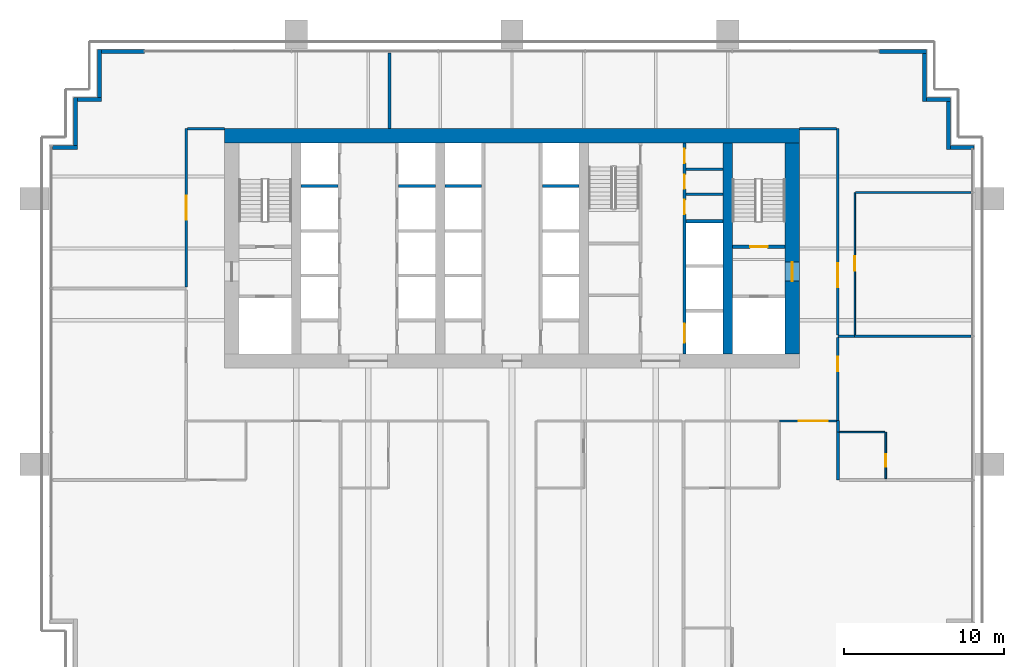
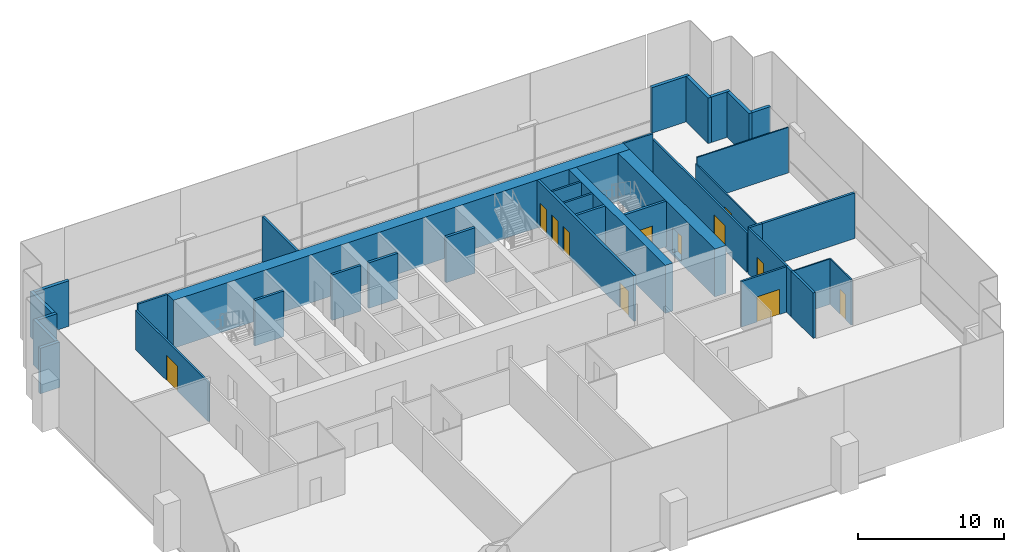
# One storey, part 12 of 16: 37 walls, 12 doors, 12 openings.
"""IFC4 building model written with IfcOpenShell, lengths in metres."""

from ifc_helpers import new_model, si_unit, direction, frame, frame_2d, origin, place, context, subcontext, project, spatial, rectangle, extrude, material, layer, layer_set, type_object, element, fill, save


model = new_model("IFC4")

# Units and contexts
model_context = context("Model", 3, precision=1e-05, world=origin(), true_north=direction((0.0, 1.0)))
body_context = subcontext(model_context, "Body", "Model", "MODEL_VIEW")
ifc_project = project(units=[si_unit("LENGTHUNIT", "METRE"), si_unit("AREAUNIT", "SQUARE_METRE"), si_unit("VOLUMEUNIT", "CUBIC_METRE"), si_unit("PLANEANGLEUNIT", "RADIAN"), si_unit("MASSUNIT", "GRAM", prefix="KILO")], contexts=[model_context])

# Site, building, storey
site_placement = place(None, origin())
site = spatial("IfcSite", under=ifc_project, at=site_placement, CompositionType="ELEMENT")
building_placement = place(site_placement, origin())
building = spatial("IfcBuilding", under=site, at=building_placement, Name="Rattan Terrace Tower", CompositionType="ELEMENT")
storey_placement = place(building_placement, frame((0.0, 0.0, 150.10009765625)))
storey = spatial("IfcBuildingStorey", under=building, at=storey_placement, Name="L34", CompositionType="ELEMENT", Elevation=150.10009765625)

# Walls
ifc_material_1 = material(Name="Gypsum board partition")
ifc_layer_1 = layer(ifc_material_1, 0.14990234375)
ifc_layer_set_1 = layer_set([ifc_layer_1], Name="Core partition 150")
wall_type_1 = type_object("IfcWallType", Name="Core partition 150", PredefinedType="PARTITIONING", material=ifc_layer_set_1)
for number, where, z_axis, x_axis, name in (
    (1, (10.89990234375, 3.384033203125, 0.0), (0.0, 0.0, 1.0), (1.0, 0.0, 0.0), "Riser room wall"),
    (2, (10.89990234375, 4.968017578125, 0.0), (0.0, 0.0, 1.0), (1.0, 0.0, 0.0), "Riser room wall"),
):
    element("IfcWall", number, at=place(storey_placement, frame(where, z_axis=z_axis, x_axis=x_axis)), inside=storey, type_object=wall_type_1, Name=name, PredefinedType="PARTITIONING", context=body_context, shape_type="SweptSolid", body=[
        extrude(rectangle(XDim=2.300048828125, YDim=0.14990234375, at=frame_2d((1.14990234375, 0.0))), origin(), (0.0, 0.0, 1.0), 3.7998046875),
    ])

# Wall, opening, door
ifc_material_2 = material(Name="Gypsum board partition")
ifc_layer_2 = layer(ifc_material_2, 0.199951171875)
ifc_layer_set_2 = layer_set([ifc_layer_2], Name="Core partition 200")
wall_type_2 = type_object("IfcWallType", Name="Core partition 200", PredefinedType="PARTITIONING", material=ifc_layer_set_2)
wall_1_placement = place(storey_placement, frame((13.800048828125, 0.10009765625, 0.0), z_axis=(0.0, 0.0, 1.0), x_axis=(1.0, 0.0, 0.0)))
wall_1 = element("IfcWall", 3, at=wall_1_placement, inside=storey, type_object=wall_type_2, Name="Stair enclosure wall", PredefinedType="PARTITIONING", context=body_context, shape_type="SweptSolid", body=[
    extrude(rectangle(XDim=3.300048828125, YDim=0.199951171875, at=frame_2d((1.64990234375, 0.0))), origin(), (0.0, 0.0, 1.0), 3.7998046875),
])
opening_1_placement = place(wall_1_placement, frame((1.10009765625, 0.0, 0.0)))
opening_1 = element("IfcOpeningElement", 4, at=opening_1_placement, cuts=wall_1, Name="Opening L34-D004", PredefinedType="OPENING", context=body_context, shape_type="SweptSolid", body=[
    extrude(rectangle(XDim=1.10009765625, YDim=2.10009765625, at=frame_2d((0.550048828125, 1.050048828125))), frame((0.0, 0.110595703125, 0.0), z_axis=(0.0, -1.0, 0.0), x_axis=(1.0, 0.0, 0.0)), (0.0, 0.0, 1.0), 0.220947265625),
])
ifc_material_3 = material(Name="Hollow-metal fire door leaf")
door_type_1 = type_object("IfcDoorType", Name="Core stair door 1100", OperationType="NOTDEFINED", PredefinedType="DOOR", material=ifc_material_3)
door_1_placement = place(opening_1_placement, origin())
door_1 = element("IfcDoor", 5, at=door_1_placement, inside=storey, type_object=door_type_1, Name="Door L34-D004", OperationType="SINGLE_SWING_RIGHT", OverallHeight=2.10009765625, OverallWidth=1.10009765625, PredefinedType="DOOR", context=body_context, shape_type="SweptSolid", body=[
    extrude(rectangle(XDim=1.10009765625, YDim=2.10009765625, at=frame_2d((0.550048828125, 1.050048828125))), frame((0.0, 0.02490234375, 0.0), z_axis=(0.0, -1.0, 0.0), x_axis=(1.0, 0.0, 0.0)), (0.0, 0.0, 1.0), 0.050048828125),
])
fill(opening_1, door_1)

# Wall
ifc_material_4 = material(Name="Concrete C60/75", Category="concrete")
ifc_layer_3 = layer(ifc_material_4, 0.89990234375)
ifc_layer_set_3 = layer_set([ifc_layer_3], Name="Core ring wall 900 C60/75")
wall_type_3 = type_object("IfcWallType", Name="Core ring wall 900 C60/75", PredefinedType="SHEAR", material=ifc_layer_set_3)
wall_2_placement = place(storey_placement, frame((-18.0, 7.050048828125, -0.2001953125), z_axis=(0.0, 0.0, 1.0), x_axis=(1.0, 0.0, 0.0)))
element("IfcWall", 6, at=wall_2_placement, inside=storey, type_object=wall_type_3, Name="Rear core wall north", PredefinedType="SHEAR", context=body_context, shape_type="SweptSolid", body=[
    extrude(rectangle(XDim=36.0, YDim=0.89990234375, at=frame_2d((18.0, 0.0))), origin(), (0.0, 0.0, 1.0), 4.0),
])

# Wall, opening, door
wall_3_placement = place(storey_placement, frame((17.550048828125, -6.60009765625, -0.2001953125), z_axis=(0.0, 0.0, 1.0), x_axis=(0.0, 1.0, 0.0)))
wall_3 = element("IfcWall", 7, at=wall_3_placement, inside=storey, type_object=wall_type_3, Name="Rear core wall east", PredefinedType="SHEAR", context=body_context, shape_type="SweptSolid", body=[
    extrude(rectangle(XDim=13.2001953125, YDim=0.89990234375, at=frame_2d((6.60009765625, 0.0))), origin(), (0.0, 0.0, 1.0), 4.0),
])
opening_2_placement = place(wall_3_placement, frame((4.550048828125, 0.0, 0.199951171875)))
opening_2 = element("IfcOpeningElement", 8, at=opening_2_placement, cuts=wall_3, Name="Opening L34-D003", PredefinedType="OPENING", context=body_context, shape_type="SweptSolid", body=[
    extrude(rectangle(XDim=1.199951171875, YDim=2.10009765625, at=frame_2d((0.60009765625, 1.050048828125))), frame((0.0, 0.46044921875, 0.0), z_axis=(0.0, -1.0, 0.0), x_axis=(1.0, 0.0, 0.0)), (0.0, 0.0, 1.0), 0.9208984375),
])
ifc_material_5 = material(Name="Hollow-metal fire door leaf")
door_type_2 = type_object("IfcDoorType", Name="Core fire-fighting lobby door 1200", OperationType="NOTDEFINED", PredefinedType="DOOR", material=ifc_material_5)
door_2_placement = place(opening_2_placement, origin())
door_2 = element("IfcDoor", 9, at=door_2_placement, inside=storey, type_object=door_type_2, Name="Door L34-D003", OperationType="SINGLE_SWING_LEFT", OverallHeight=2.10009765625, OverallWidth=1.199951171875, PredefinedType="DOOR", context=body_context, shape_type="SweptSolid", body=[
    extrude(rectangle(XDim=1.199951171875, YDim=2.10009765625, at=frame_2d((0.60009765625, 1.050048828125))), frame((0.0, 0.02490234375, 0.0), z_axis=(0.0, -1.0, 0.0), x_axis=(1.0, 0.0, 0.0)), (0.0, 0.0, 1.0), 0.050048828125),
])
fill(opening_2, door_2)

# Walls
ifc_material_6 = material(Name="Concrete C60/75", Category="concrete")
ifc_layer_4 = layer(ifc_material_6, 0.60009765625)
ifc_layer_set_4 = layer_set([ifc_layer_4], Name="Core spine wall 600 C60/75")
wall_type_4 = type_object("IfcWallType", Name="Core spine wall 600 C60/75", PredefinedType="SHEAR", material=ifc_layer_set_4)
wall_4_placement = place(storey_placement, frame((13.5, -6.60009765625, -0.2001953125), z_axis=(0.0, 0.0, 1.0), x_axis=(0.0, 1.0, 0.0)))
element("IfcWall", 10, at=wall_4_placement, inside=storey, type_object=wall_type_4, Name="Core spine wall 4", PredefinedType="SHEAR", context=body_context, shape_type="SweptSolid", body=[
    extrude(rectangle(XDim=13.2001953125, YDim=0.60009765625, at=frame_2d((6.60009765625, 0.0))), origin(), (0.0, 0.0, 1.0), 4.0),
])
ifc_material_7 = material(Name="Insulated aluminium-clad stud wall", Category="aluminium")
ifc_layer_5 = layer(ifc_material_7, 0.25)
ifc_layer_set_5 = layer_set([ifc_layer_5], Name="Facade Riser Wall 250")
wall_type_5 = type_object("IfcWallType", Name="Facade Riser Wall 250", PredefinedType="SOLIDWALL", material=ifc_layer_set_5)
wall_5_placement = place(storey_placement, frame((28.909912109375, 6.330078125, 0.0), z_axis=(0.0, 0.0, 1.0), x_axis=(-1.0, 0.0, 0.0)))
element("IfcWall", 11, at=wall_5_placement, inside=storey, type_object=wall_type_5, Name="Riser wall L34-6", PredefinedType="SOLIDWALL", context=body_context, shape_type="SweptSolid", body=[
    extrude(rectangle(XDim=1.454833984375, YDim=0.25, at=frame_2d((0.7275390625, 0.0))), origin(), (0.0, 0.0, 1.0), 3.7998046875),
])
wall_6_placement = place(storey_placement, frame((27.330078125, 6.205078125, 0.0), z_axis=(0.0, 0.0, 1.0), x_axis=(0.0, 1.0, 0.0)))
element("IfcWall", 12, at=wall_6_placement, inside=storey, type_object=wall_type_5, Name="Riser wall L34-7", PredefinedType="SOLIDWALL", context=body_context, shape_type="SweptSolid", body=[
    extrude(rectangle(XDim=3.0, YDim=0.25, at=frame_2d((1.5, 0.0))), origin(), (0.0, 0.0, 1.0), 3.7998046875),
])
wall_7_placement = place(storey_placement, frame((27.455078125, 9.330078125, 0.0), z_axis=(0.0, 0.0, 1.0), x_axis=(-1.0, 0.0, 0.0)))
element("IfcWall", 13, at=wall_7_placement, inside=storey, type_object=wall_type_5, Name="Riser wall L34-8", PredefinedType="SOLIDWALL", context=body_context, shape_type="SweptSolid", body=[
    extrude(rectangle(XDim=1.5, YDim=0.25, at=frame_2d((0.75, 0.0))), origin(), (0.0, 0.0, 1.0), 3.7998046875),
])
wall_8_placement = place(storey_placement, frame((25.830078125, 9.205078125, 0.0), z_axis=(0.0, 0.0, 1.0), x_axis=(0.0, 1.0, 0.0)))
element("IfcWall", 14, at=wall_8_placement, inside=storey, type_object=wall_type_5, Name="Riser wall L34-9", PredefinedType="SOLIDWALL", context=body_context, shape_type="SweptSolid", body=[
    extrude(rectangle(XDim=3.0, YDim=0.25, at=frame_2d((1.5, 0.0))), origin(), (0.0, 0.0, 1.0), 3.7998046875),
])
wall_9_placement = place(storey_placement, frame((25.955078125, 12.330078125, 0.0), z_axis=(0.0, 0.0, 1.0), x_axis=(-1.0, 0.0, 0.0)))
element("IfcWall", 15, at=wall_9_placement, inside=storey, type_object=wall_type_5, Name="Riser wall L34-10", PredefinedType="SOLIDWALL", context=body_context, shape_type="SweptSolid", body=[
    extrude(rectangle(XDim=2.955078125, YDim=0.25, at=frame_2d((1.4775390625, 0.0))), origin(), (0.0, 0.0, 1.0), 3.7998046875),
])
wall_10_placement = place(storey_placement, frame((-23.0, 12.330078125, 0.0), z_axis=(0.0, 0.0, 1.0), x_axis=(-1.0, 0.0, 0.0)))
element("IfcWall", 16, at=wall_10_placement, inside=storey, type_object=wall_type_5, Name="Riser wall L34-11", PredefinedType="SOLIDWALL", context=body_context, shape_type="SweptSolid", body=[
    extrude(rectangle(XDim=2.705078125, YDim=0.25, at=frame_2d((1.3525390625, 0.0))), origin(), (0.0, 0.0, 1.0), 3.7998046875),
])
wall_11_placement = place(storey_placement, frame((-25.830078125, 12.455078125, 0.0), z_axis=(0.0, 0.0, 1.0), x_axis=(0.0, -1.0, 0.0)))
element("IfcWall", 17, at=wall_11_placement, inside=storey, type_object=wall_type_5, Name="Riser wall L34-12", PredefinedType="SOLIDWALL", context=body_context, shape_type="SweptSolid", body=[
    extrude(rectangle(XDim=3.0, YDim=0.25, at=frame_2d((1.5, 0.0))), origin(), (0.0, 0.0, 1.0), 3.7998046875),
])
wall_12_placement = place(storey_placement, frame((-25.705078125, 9.330078125, 0.0), z_axis=(0.0, 0.0, 1.0), x_axis=(-1.0, 0.0, 0.0)))
element("IfcWall", 18, at=wall_12_placement, inside=storey, type_object=wall_type_5, Name="Riser wall L34-13", PredefinedType="SOLIDWALL", context=body_context, shape_type="SweptSolid", body=[
    extrude(rectangle(XDim=1.5, YDim=0.25, at=frame_2d((0.75, 0.0))), origin(), (0.0, 0.0, 1.0), 3.7998046875),
])
wall_13_placement = place(storey_placement, frame((-27.330078125, 9.455078125, 0.0), z_axis=(0.0, 0.0, 1.0), x_axis=(0.0, -1.0, 0.0)))
element("IfcWall", 19, at=wall_13_placement, inside=storey, type_object=wall_type_5, Name="Riser wall L34-14", PredefinedType="SOLIDWALL", context=body_context, shape_type="SweptSolid", body=[
    extrude(rectangle(XDim=3.0, YDim=0.25, at=frame_2d((1.5, 0.0))), origin(), (0.0, 0.0, 1.0), 3.7998046875),
])
wall_14_placement = place(storey_placement, frame((-27.205078125, 6.330078125, 0.0), z_axis=(0.0, 0.0, 1.0), x_axis=(-1.0, 0.0, 0.0)))
element("IfcWall", 20, at=wall_14_placement, inside=storey, type_object=wall_type_5, Name="Riser wall L34-15", PredefinedType="SOLIDWALL", context=body_context, shape_type="SweptSolid", body=[
    extrude(rectangle(XDim=1.544921875, YDim=0.25, at=frame_2d((0.7724609375, 0.0))), origin(), (0.0, 0.0, 1.0), 3.7998046875),
])
ifc_material_8 = material(Name="Double steel stud acoustic partition, gypsum board, mineral wool, fire rated", Category="steel")
ifc_layer_6 = layer(ifc_material_8, 0.179931640625)
ifc_layer_set_6 = layer_set([ifc_layer_6], Name="Floors Acoustic Party Wall 180")
wall_type_6 = type_object("IfcWallType", Name="Floors Acoustic Party Wall 180", PredefinedType="PARTITIONING", material=ifc_layer_set_6)
wall_15_placement = place(storey_placement, frame((-7.6669921875, 12.239990234375, 0.0), z_axis=(0.0, 0.0, 1.0), x_axis=(0.0, -1.0, 0.0)))
element("IfcWall", 21, at=wall_15_placement, inside=storey, type_object=wall_type_6, Name="pt-L34-021", PredefinedType="PARTITIONING", context=body_context, shape_type="SweptSolid", body=[
    extrude(rectangle(XDim=4.739990234375, YDim=0.179931640625, at=frame_2d((2.3701171875, 0.0))), origin(), (0.0, 0.0, 1.0), 3.7998046875),
])
wall_16_placement = place(storey_placement, frame((20.39990234375, -5.5, 0.0), z_axis=(0.0, 0.0, 1.0), x_axis=(1.0, 0.0, 0.0)))
element("IfcWall", 22, at=wall_16_placement, inside=storey, type_object=wall_type_6, Name="pt-L34-024", PredefinedType="PARTITIONING", context=body_context, shape_type="SweptSolid", body=[
    extrude(rectangle(XDim=1.0400390625, YDim=0.179931640625, at=frame_2d((0.52001953125, 0.0))), origin(), (0.0, 0.0, 1.0), 3.7998046875),
])
wall_17_placement = place(storey_placement, frame((21.43994140625, -5.5, 0.0), z_axis=(0.0, 0.0, 1.0), x_axis=(1.0, 0.0, 0.0)))
element("IfcWall", 23, at=wall_17_placement, inside=storey, type_object=wall_type_6, Name="pt-L34-025", PredefinedType="PARTITIONING", context=body_context, shape_type="SweptSolid", body=[
    extrude(rectangle(XDim=7.300048828125, YDim=0.179931640625, at=frame_2d((3.64990234375, 0.0))), origin(), (0.0, 0.0, 1.0), 3.7998046875),
])
wall_18_placement = place(storey_placement, frame((20.39990234375, -11.5, 0.0), z_axis=(0.0, 0.0, 1.0), x_axis=(0.0, 1.0, 0.0)))
element("IfcWall", 24, at=wall_18_placement, inside=storey, type_object=wall_type_6, Name="pt-L34-026", PredefinedType="PARTITIONING", context=body_context, shape_type="SweptSolid", body=[
    extrude(rectangle(XDim=0.719970703125, YDim=0.179931640625, at=frame_2d((0.35986328125, 0.0))), origin(), (0.0, 0.0, 1.0), 3.7998046875),
])
wall_19_placement = place(storey_placement, frame((20.39990234375, -14.5, 0.0), z_axis=(0.0, 0.0, 1.0), x_axis=(0.0, 1.0, 0.0)))
element("IfcWall", 25, at=wall_19_placement, inside=storey, type_object=wall_type_6, Name="pt-L34-028", PredefinedType="PARTITIONING", context=body_context, shape_type="SweptSolid", body=[
    extrude(rectangle(XDim=3.0, YDim=0.179931640625, at=frame_2d((1.5, 0.0))), origin(), (0.0, 0.0, 1.0), 3.7998046875),
])
ifc_material_9 = material(Name="Gypsum board partition on steel studs", Category="steel")
ifc_layer_7 = layer(ifc_material_9, 0.10009765625)
ifc_layer_set_7 = layer_set([ifc_layer_7], Name="Floors Partition 100")
wall_type_7 = type_object("IfcWallType", Name="Floors Partition 100", PredefinedType="PARTITIONING", material=ifc_layer_set_7)
wall_20_placement = place(storey_placement, frame((23.35009765625, -11.5, 0.0), z_axis=(0.0, 0.0, 1.0), x_axis=(-1.0, 0.0, 0.0)))
element("IfcWall", 26, at=wall_20_placement, inside=storey, type_object=wall_type_7, Name="pt-L34-022", PredefinedType="PARTITIONING", context=body_context, shape_type="SweptSolid", body=[
    extrude(rectangle(XDim=2.860107421875, YDim=0.10009765625, at=frame_2d((1.43017578125, 0.0))), origin(), (0.0, 0.0, 1.0), 3.7998046875),
])

# Wall, opening, door
wall_21_placement = place(storey_placement, frame((23.39990234375, -14.409912109375, 0.0), z_axis=(0.0, 0.0, 1.0), x_axis=(0.0, 1.0, 0.0)))
wall_21 = element("IfcWall", 27, at=wall_21_placement, inside=storey, type_object=wall_type_7, Name="pt-L34-023", PredefinedType="PARTITIONING", context=body_context, shape_type="SweptSolid", body=[
    extrude(rectangle(XDim=2.909912109375, YDim=0.10009765625, at=frame_2d((1.455078125, 0.0))), origin(), (0.0, 0.0, 1.0), 3.7998046875),
])
opening_3_placement = place(wall_21_placement, frame((0.73291015625, 0.0, 0.0)))
opening_3 = element("IfcOpeningElement", 28, at=opening_3_placement, cuts=wall_21, Name="Opening L34-D103", PredefinedType="OPENING", context=body_context, shape_type="SweptSolid", body=[
    extrude(rectangle(XDim=0.800048828125, YDim=2.10009765625, at=frame_2d((0.39990234375, 1.050048828125))), frame((0.0, 0.060546875, 0.0), z_axis=(0.0, -1.0, 0.0), x_axis=(1.0, 0.0, 0.0)), (0.0, 0.0, 1.0), 0.12109375),
])
ifc_material_10 = material(Name="Solid core timber door, painted", Category="wood")
door_type_3 = type_object("IfcDoorType", Name="Floors Store Door 800x2100", OperationType="NOTDEFINED", PredefinedType="DOOR", material=ifc_material_10)
door_3_placement = place(opening_3_placement, origin())
door_3 = element("IfcDoor", 29, at=door_3_placement, inside=storey, type_object=door_type_3, Name="d-L34-103", OperationType="SINGLE_SWING_LEFT", OverallHeight=2.10009765625, OverallWidth=0.800048828125, PredefinedType="DOOR", context=body_context, shape_type="SweptSolid", body=[
    extrude(rectangle(XDim=0.800048828125, YDim=2.10009765625, at=frame_2d((0.39990234375, 1.050048828125))), frame((0.0, 0.02490234375, 0.0), z_axis=(0.0, -1.0, 0.0), x_axis=(1.0, 0.0, 0.0)), (0.0, 0.0, 1.0), 0.050048828125),
])
fill(opening_3, door_3)

wall_22_placement = place(storey_placement, frame((21.4599609375, 3.5, 0.0), z_axis=(0.0, 0.0, 1.0), x_axis=(0.0, -1.0, 0.0)))
wall_22 = element("IfcWall", 30, at=wall_22_placement, inside=storey, type_object=wall_type_7, Name="pt-L34-030", PredefinedType="PARTITIONING", context=body_context, shape_type="SweptSolid", body=[
    extrude(rectangle(XDim=8.909912109375, YDim=0.10009765625, at=frame_2d((4.455078125, 0.0))), origin(), (0.0, 0.0, 1.0), 3.2998046875),
])
opening_4_placement = place(wall_22_placement, frame((4.0048828125, 0.0, 0.0)))
opening_4 = element("IfcOpeningElement", 31, at=opening_4_placement, cuts=wall_22, Name="Opening L34-D105", PredefinedType="OPENING", context=body_context, shape_type="SweptSolid", body=[
    extrude(rectangle(XDim=0.89990234375, YDim=2.10009765625, at=frame_2d((0.449951171875, 1.050048828125))), frame((0.0, 0.060546875, 0.0), z_axis=(0.0, -1.0, 0.0), x_axis=(1.0, 0.0, 0.0)), (0.0, 0.0, 1.0), 0.12109375),
])
ifc_material_11 = material(Name="Solid core timber door, painted", Category="wood")
door_type_4 = type_object("IfcDoorType", Name="Floors Door 900x2100", OperationType="NOTDEFINED", PredefinedType="DOOR", material=ifc_material_11)
door_4_placement = place(opening_4_placement, origin())
door_4 = element("IfcDoor", 32, at=door_4_placement, inside=storey, type_object=door_type_4, Name="d-L34-105", OperationType="SINGLE_SWING_RIGHT", OverallHeight=2.10009765625, OverallWidth=0.89990234375, PredefinedType="DOOR", context=body_context, shape_type="SweptSolid", body=[
    extrude(rectangle(XDim=0.89990234375, YDim=2.10009765625, at=frame_2d((0.449951171875, 1.050048828125))), frame((0.0, 0.02490234375, 0.0), z_axis=(0.0, -1.0, 0.0), x_axis=(1.0, 0.0, 0.0)), (0.0, 0.0, 1.0), 0.050048828125),
])
fill(opening_4, door_4)

# Wall
wall_23_placement = place(storey_placement, frame((28.739990234375, 3.5, 0.0), z_axis=(0.0, 0.0, 1.0), x_axis=(-1.0, 0.0, 0.0)))
element("IfcWall", 33, at=wall_23_placement, inside=storey, type_object=wall_type_7, Name="pt-L34-031", PredefinedType="PARTITIONING", context=body_context, shape_type="SweptSolid", body=[
    extrude(rectangle(XDim=7.22998046875, YDim=0.10009765625, at=frame_2d((3.614990234375, 0.0))), origin(), (0.0, 0.0, 1.0), 3.7998046875),
])

# Wall, opening, door
ifc_material_12 = material(Name="Gypsum board partition on steel studs, fire rated", Category="steel")
ifc_layer_8 = layer(ifc_material_12, 0.14990234375)
ifc_layer_set_8 = layer_set([ifc_layer_8], Name="Floors Tenancy Wall 150")
wall_type_8 = type_object("IfcWallType", Name="Floors Tenancy Wall 150", PredefinedType="PARTITIONING", material=ifc_layer_set_8)
wall_24_placement = place(storey_placement, frame((-20.39990234375, -2.409912109375, 0.0), z_axis=(0.0, 0.0, 1.0), x_axis=(0.0, 1.0, 0.0)))
wall_24 = element("IfcWall", 34, at=wall_24_placement, inside=storey, type_object=wall_type_8, Name="pt-L34-002", PredefinedType="PARTITIONING", context=body_context, shape_type="SweptSolid", body=[
    extrude(rectangle(XDim=9.909912109375, YDim=0.14990234375, at=frame_2d((4.955078125, 0.0))), origin(), (0.0, 0.0, 1.0), 3.2998046875),
])
opening_5_placement = place(wall_24_placement, frame((4.205078125, 0.0, 0.0)))
opening_5 = element("IfcOpeningElement", 35, at=opening_5_placement, cuts=wall_24, Name="Opening L34-D101", PredefinedType="OPENING", context=body_context, shape_type="SweptSolid", body=[
    extrude(rectangle(XDim=1.5, YDim=2.10009765625, at=frame_2d((0.75, 1.050048828125))), frame((0.0, 0.08544921875, 0.0), z_axis=(0.0, -1.0, 0.0), x_axis=(1.0, 0.0, 0.0)), (0.0, 0.0, 1.0), 0.1708984375),
])
ifc_material_13 = material(Name="Steel fire door set", Category="steel")
door_type_5 = type_object("IfcDoorType", Name="Floors Unit Door Pair FD30S 1500x2100", OperationType="NOTDEFINED", PredefinedType="DOOR", material=ifc_material_13)
door_5_placement = place(opening_5_placement, origin())
door_5 = element("IfcDoor", 36, at=door_5_placement, inside=storey, type_object=door_type_5, Name="d-L34-101", OperationType="DOUBLE_DOOR_SINGLE_SWING", OverallHeight=2.10009765625, OverallWidth=1.5, PredefinedType="DOOR", context=body_context, shape_type="SweptSolid", body=[
    extrude(rectangle(XDim=1.5, YDim=2.10009765625, at=frame_2d((0.75, 1.050048828125))), frame((0.0, 0.02490234375, 0.0), z_axis=(0.0, -1.0, 0.0), x_axis=(1.0, 0.0, 0.0)), (0.0, 0.0, 1.0), 0.050048828125),
])
fill(opening_5, door_5)

# Wall
wall_25_placement = place(storey_placement, frame((-20.324951171875, 7.5009765625, 0.0), z_axis=(0.0, 0.0, 1.0), x_axis=(1.0, 0.0, 0.0)))
element("IfcWall", 37, at=wall_25_placement, inside=storey, type_object=wall_type_8, Name="pt-L34-003", PredefinedType="PARTITIONING", context=body_context, shape_type="SweptSolid", body=[
    extrude(rectangle(XDim=2.324951171875, YDim=0.14990234375, at=frame_2d((1.16259765625, 0.0))), origin(), (0.0, 0.0, 1.0), 3.7998046875),
])

# Wall, opening, door
wall_26_placement = place(storey_placement, frame((20.39990234375, -5.590087890625, 0.0), z_axis=(0.0, 0.0, 1.0), x_axis=(0.0, -1.0, 0.0)))
wall_26 = element("IfcWall", 38, at=wall_26_placement, inside=storey, type_object=wall_type_8, Name="pt-L34-004", PredefinedType="PARTITIONING", context=body_context, shape_type="SweptSolid", body=[
    extrude(rectangle(XDim=5.18994140625, YDim=0.14990234375, at=frame_2d((2.594970703125, 0.0))), origin(), (0.0, 0.0, 1.0), 3.7998046875),
])
opening_6_placement = place(wall_26_placement, frame((1.197998046875, 0.0, 0.0)))
opening_6 = element("IfcOpeningElement", 39, at=opening_6_placement, cuts=wall_26, Name="Opening L34-D102", PredefinedType="OPENING", context=body_context, shape_type="SweptSolid", body=[
    extrude(rectangle(XDim=0.89990234375, YDim=2.10009765625, at=frame_2d((0.449951171875, 1.050048828125))), frame((0.0, 0.08544921875, 0.0), z_axis=(0.0, -1.0, 0.0), x_axis=(1.0, 0.0, 0.0)), (0.0, 0.0, 1.0), 0.1708984375),
])
ifc_material_14 = material(Name="Steel fire door set", Category="steel")
door_type_6 = type_object("IfcDoorType", Name="Floors Fire Door FD30S 900x2100", OperationType="NOTDEFINED", PredefinedType="DOOR", material=ifc_material_14)
door_6_placement = place(opening_6_placement, origin())
door_6 = element("IfcDoor", 40, at=door_6_placement, inside=storey, type_object=door_type_6, Name="d-L34-102", OperationType="SINGLE_SWING_LEFT", OverallHeight=2.10009765625, OverallWidth=0.89990234375, PredefinedType="DOOR", context=body_context, shape_type="SweptSolid", body=[
    extrude(rectangle(XDim=0.89990234375, YDim=2.10009765625, at=frame_2d((0.449951171875, 1.050048828125))), frame((0.0, 0.02490234375, 0.0), z_axis=(0.0, -1.0, 0.0), x_axis=(1.0, 0.0, 0.0)), (0.0, 0.0, 1.0), 0.050048828125),
])
fill(opening_6, door_6)

# Wall
wall_27_placement = place(storey_placement, frame((18.0, 7.5009765625, 0.0), z_axis=(0.0, 0.0, 1.0), x_axis=(1.0, 0.0, 0.0)))
element("IfcWall", 41, at=wall_27_placement, inside=storey, type_object=wall_type_8, Name="pt-L34-005", PredefinedType="PARTITIONING", context=body_context, shape_type="SweptSolid", body=[
    extrude(rectangle(XDim=2.324951171875, YDim=0.14990234375, at=frame_2d((1.16259765625, 0.0))), origin(), (0.0, 0.0, 1.0), 3.7998046875),
])

# Wall, opening, door
wall_28_placement = place(storey_placement, frame((20.39990234375, 7.5, 0.0), z_axis=(0.0, 0.0, 1.0), x_axis=(0.0, -1.0, 0.0)))
wall_28 = element("IfcWall", 42, at=wall_28_placement, inside=storey, type_object=wall_type_8, Name="pt-L34-006", PredefinedType="PARTITIONING", context=body_context, shape_type="SweptSolid", body=[
    extrude(rectangle(XDim=12.909912109375, YDim=0.14990234375, at=frame_2d((6.455078125, 0.0))), origin(), (0.0, 0.0, 1.0), 3.2998046875),
])
opening_7_placement = place(wall_28_placement, frame((8.43310546875, 0.0, 0.0)))
opening_7 = element("IfcOpeningElement", 43, at=opening_7_placement, cuts=wall_28, Name="Opening L34-D104", PredefinedType="OPENING", context=body_context, shape_type="SweptSolid", body=[
    extrude(rectangle(XDim=1.5, YDim=2.10009765625, at=frame_2d((0.75, 1.050048828125))), frame((0.0, 0.08544921875, 0.0), z_axis=(0.0, -1.0, 0.0), x_axis=(1.0, 0.0, 0.0)), (0.0, 0.0, 1.0), 0.1708984375),
])
door_7_placement = place(opening_7_placement, origin())
door_7 = element("IfcDoor", 44, at=door_7_placement, inside=storey, type_object=door_type_5, Name="d-L34-104", OperationType="DOUBLE_DOOR_SINGLE_SWING", OverallHeight=2.10009765625, OverallWidth=1.5, PredefinedType="DOOR", context=body_context, shape_type="SweptSolid", body=[
    extrude(rectangle(XDim=1.5, YDim=2.10009765625, at=frame_2d((0.75, 1.050048828125))), frame((0.0, 0.02490234375, 0.0), z_axis=(0.0, -1.0, 0.0), x_axis=(1.0, 0.0, 0.0)), (0.0, 0.0, 1.0), 0.050048828125),
])
fill(opening_7, door_7)

wall_29_placement = place(storey_placement, frame((20.324951171875, -10.800048828125, 0.0), z_axis=(0.0, 0.0, 1.0), x_axis=(-1.0, 0.0, 0.0)))
wall_29 = element("IfcWall", 45, at=wall_29_placement, inside=storey, type_object=wall_type_8, Name="pt-L34-011", PredefinedType="PARTITIONING", context=body_context, shape_type="SweptSolid", body=[
    extrude(rectangle(XDim=3.572021484375, YDim=0.14990234375, at=frame_2d((1.7861328125, 0.0))), origin(), (0.0, 0.0, 1.0), 3.7998046875),
])
opening_8_placement = place(wall_29_placement, frame((0.568115234375, 0.0, 0.0)))
opening_8 = element("IfcOpeningElement", 46, at=opening_8_placement, cuts=wall_29, Name="Opening L34-D108", PredefinedType="OPENING", context=body_context, shape_type="SweptSolid", body=[
    extrude(rectangle(XDim=1.800048828125, YDim=2.10009765625, at=frame_2d((0.89990234375, 1.050048828125))), frame((0.0, 0.08544921875, 0.0), z_axis=(0.0, -1.0, 0.0), x_axis=(1.0, 0.0, 0.0)), (0.0, 0.0, 1.0), 0.1708984375),
])
ifc_material_15 = material(Name="Steel fire door set", Category="steel")
door_type_7 = type_object("IfcDoorType", Name="Floors Fire Door Pair FD30S 1800x2100", OperationType="NOTDEFINED", PredefinedType="DOOR", material=ifc_material_15)
door_8_placement = place(opening_8_placement, origin())
door_8 = element("IfcDoor", 47, at=door_8_placement, inside=storey, type_object=door_type_7, Name="d-L34-108", OperationType="DOUBLE_DOOR_SINGLE_SWING", OverallHeight=2.10009765625, OverallWidth=1.800048828125, PredefinedType="DOOR", context=body_context, shape_type="SweptSolid", body=[
    extrude(rectangle(XDim=1.800048828125, YDim=2.10009765625, at=frame_2d((0.89990234375, 1.050048828125))), frame((0.0, 0.02490234375, 0.0), z_axis=(0.0, -1.0, 0.0), x_axis=(1.0, 0.0, 0.0)), (0.0, 0.0, 1.0), 0.050048828125),
])
fill(opening_8, door_8)

# Walls
ifc_material_16 = material(Name="Gypsum shaft wall system")
ifc_layer_9 = layer(ifc_material_16, 0.199951171875)
ifc_layer_set_9 = layer_set([ifc_layer_9], Name="Lift shaft wall 200")
wall_type_9 = type_object("IfcWallType", Name="Lift shaft wall 200", PredefinedType="PARTITIONING", material=ifc_layer_set_9)
for number, where, z_axis, x_axis, name in (
    (48, (-13.199951171875, 3.89990234375, 0.0), (0.0, 0.0, 1.0), (1.0, 0.0, 0.0), "Lift shaft wall"),
    (49, (-7.10009765625, 3.89990234375, 0.0), (0.0, 0.0, 1.0), (1.0, 0.0, 0.0), "Lift shaft wall"),
    (50, (-4.199951171875, 3.89990234375, 0.0), (0.0, 0.0, 1.0), (1.0, 0.0, 0.0), "Lift shaft wall"),
    (51, (1.89990234375, 3.89990234375, 0.0), (0.0, 0.0, 1.0), (1.0, 0.0, 0.0), "Lift shaft wall"),
):
    element("IfcWall", number, at=place(storey_placement, frame(where, z_axis=z_axis, x_axis=x_axis)), inside=storey, type_object=wall_type_9, Name=name, PredefinedType="PARTITIONING", context=body_context, shape_type="SweptSolid", body=[
        extrude(rectangle(XDim=2.300048828125, YDim=0.199951171875, at=frame_2d((1.14990234375, 0.0))), origin(), (0.0, 0.0, 1.0), 3.7998046875),
    ])

# Wall, openings, doors
wall_30_placement = place(storey_placement, frame((10.800048828125, -6.60009765625, 0.0), z_axis=(0.0, 0.0, 1.0), x_axis=(0.0, 1.0, 0.0)))
wall_30 = element("IfcWall", 52, at=wall_30_placement, inside=storey, type_object=wall_type_9, Name="Lift shaft front wall", PredefinedType="PARTITIONING", context=body_context, shape_type="SweptSolid", body=[
    extrude(rectangle(XDim=13.2001953125, YDim=0.199951171875, at=frame_2d((6.60009765625, 0.0))), origin(), (0.0, 0.0, 1.0), 3.7998046875),
])
opening_9_placement = place(wall_30_placement, frame((0.699951171875, 0.0, 0.0)))
opening_9 = element("IfcOpeningElement", 53, at=opening_9_placement, cuts=wall_30, Name="Opening L34-LD-SV1", PredefinedType="OPENING", context=body_context, shape_type="SweptSolid", body=[
    extrude(rectangle(XDim=1.199951171875, YDim=2.10009765625, at=frame_2d((0.60009765625, 1.050048828125))), frame((0.0, 0.110595703125, 0.0), z_axis=(0.0, -1.0, 0.0), x_axis=(1.0, 0.0, 0.0)), (0.0, 0.0, 1.0), 0.220947265625),
])
opening_10_placement = place(wall_30_placement, frame((8.741943359375, 0.0, 0.0)))
opening_10 = element("IfcOpeningElement", 54, at=opening_10_placement, cuts=wall_30, Name="Opening L34-D015", PredefinedType="OPENING", context=body_context, shape_type="SweptSolid", body=[
    extrude(rectangle(XDim=0.89990234375, YDim=2.10009765625, at=frame_2d((0.449951171875, 1.050048828125))), frame((0.0, 0.110595703125, 0.0), z_axis=(0.0, -1.0, 0.0), x_axis=(1.0, 0.0, 0.0)), (0.0, 0.0, 1.0), 0.220947265625),
])
opening_11_placement = place(wall_30_placement, frame((10.325927734375, 0.0, 0.0)))
opening_11 = element("IfcOpeningElement", 55, at=opening_11_placement, cuts=wall_30, Name="Opening L34-D016", PredefinedType="OPENING", context=body_context, shape_type="SweptSolid", body=[
    extrude(rectangle(XDim=0.89990234375, YDim=2.10009765625, at=frame_2d((0.449951171875, 1.050048828125))), frame((0.0, 0.110595703125, 0.0), z_axis=(0.0, -1.0, 0.0), x_axis=(1.0, 0.0, 0.0)), (0.0, 0.0, 1.0), 0.220947265625),
])
opening_12_placement = place(wall_30_placement, frame((11.93408203125, 0.0, 0.0)))
opening_12 = element("IfcOpeningElement", 56, at=opening_12_placement, cuts=wall_30, Name="Opening L34-D017", PredefinedType="OPENING", context=body_context, shape_type="SweptSolid", body=[
    extrude(rectangle(XDim=0.89990234375, YDim=2.10009765625, at=frame_2d((0.449951171875, 1.050048828125))), frame((0.0, 0.110595703125, 0.0), z_axis=(0.0, -1.0, 0.0), x_axis=(1.0, 0.0, 0.0)), (0.0, 0.0, 1.0), 0.220947265625),
])
ifc_material_17 = material(Name="Brushed stainless landing door panel")
door_type_8 = type_object("IfcDoorType", Name="Core lift landing door 1200", OperationType="DOUBLE_DOOR_SLIDING", PredefinedType="DOOR", material=ifc_material_17)
door_9_placement = place(opening_9_placement, origin())
door_9 = element("IfcDoor", 57, at=door_9_placement, inside=storey, type_object=door_type_8, Name="Door L34-LD-SV1", OperationType="DOUBLE_DOOR_SLIDING", OverallHeight=2.10009765625, OverallWidth=1.199951171875, PredefinedType="DOOR", context=body_context, shape_type="SweptSolid", body=[
    extrude(rectangle(XDim=1.199951171875, YDim=2.10009765625, at=frame_2d((0.60009765625, 1.050048828125))), frame((0.0, 0.02490234375, 0.0), z_axis=(0.0, -1.0, 0.0), x_axis=(1.0, 0.0, 0.0)), (0.0, 0.0, 1.0), 0.050048828125),
])
fill(opening_9, door_9)
ifc_material_18 = material(Name="Hollow-metal fire door leaf")
door_type_9 = type_object("IfcDoorType", Name="Core riser door 900", OperationType="NOTDEFINED", PredefinedType="DOOR", material=ifc_material_18)
door_10_placement = place(opening_10_placement, origin())
door_10 = element("IfcDoor", 58, at=door_10_placement, inside=storey, type_object=door_type_9, Name="Door L34-D015", OperationType="SINGLE_SWING_LEFT", OverallHeight=2.10009765625, OverallWidth=0.89990234375, PredefinedType="DOOR", context=body_context, shape_type="SweptSolid", body=[
    extrude(rectangle(XDim=0.89990234375, YDim=2.10009765625, at=frame_2d((0.449951171875, 1.050048828125))), frame((0.0, 0.02490234375, 0.0), z_axis=(0.0, -1.0, 0.0), x_axis=(1.0, 0.0, 0.0)), (0.0, 0.0, 1.0), 0.050048828125),
])
fill(opening_10, door_10)
door_11_placement = place(opening_11_placement, origin())
door_11 = element("IfcDoor", 59, at=door_11_placement, inside=storey, type_object=door_type_9, Name="Door L34-D016", OperationType="SINGLE_SWING_RIGHT", OverallHeight=2.10009765625, OverallWidth=0.89990234375, PredefinedType="DOOR", context=body_context, shape_type="SweptSolid", body=[
    extrude(rectangle(XDim=0.89990234375, YDim=2.10009765625, at=frame_2d((0.449951171875, 1.050048828125))), frame((0.0, 0.02490234375, 0.0), z_axis=(0.0, -1.0, 0.0), x_axis=(1.0, 0.0, 0.0)), (0.0, 0.0, 1.0), 0.050048828125),
])
fill(opening_11, door_11)
ifc_material_19 = material(Name="Hollow-metal fire door leaf")
door_type_10 = type_object("IfcDoorType", Name="Core service room door 900", OperationType="NOTDEFINED", PredefinedType="DOOR", material=ifc_material_19)
door_12_placement = place(opening_12_placement, origin())
door_12 = element("IfcDoor", 60, at=door_12_placement, inside=storey, type_object=door_type_10, Name="Door L34-D017", OperationType="SINGLE_SWING_LEFT", OverallHeight=2.10009765625, OverallWidth=0.89990234375, PredefinedType="DOOR", context=body_context, shape_type="SweptSolid", body=[
    extrude(rectangle(XDim=0.89990234375, YDim=2.10009765625, at=frame_2d((0.449951171875, 1.050048828125))), frame((0.0, 0.02490234375, 0.0), z_axis=(0.0, -1.0, 0.0), x_axis=(1.0, 0.0, 0.0)), (0.0, 0.0, 1.0), 0.050048828125),
])
fill(opening_12, door_12)

# Wall
wall_31_placement = place(storey_placement, frame((10.89990234375, 1.699951171875, 0.0), z_axis=(0.0, 0.0, 1.0), x_axis=(1.0, 0.0, 0.0)))
element("IfcWall", 61, at=wall_31_placement, inside=storey, type_object=wall_type_9, Name="Lift shaft wall", PredefinedType="PARTITIONING", context=body_context, shape_type="SweptSolid", body=[
    extrude(rectangle(XDim=2.300048828125, YDim=0.199951171875, at=frame_2d((1.14990234375, 0.0))), origin(), (0.0, 0.0, 1.0), 3.7998046875),
])

save(model, "model.ifc")
